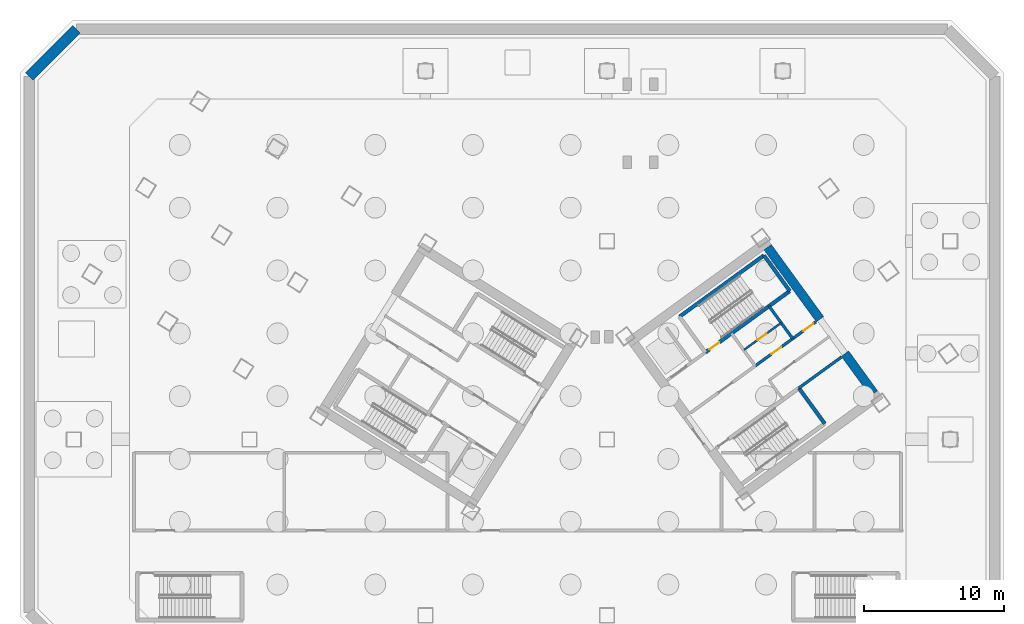
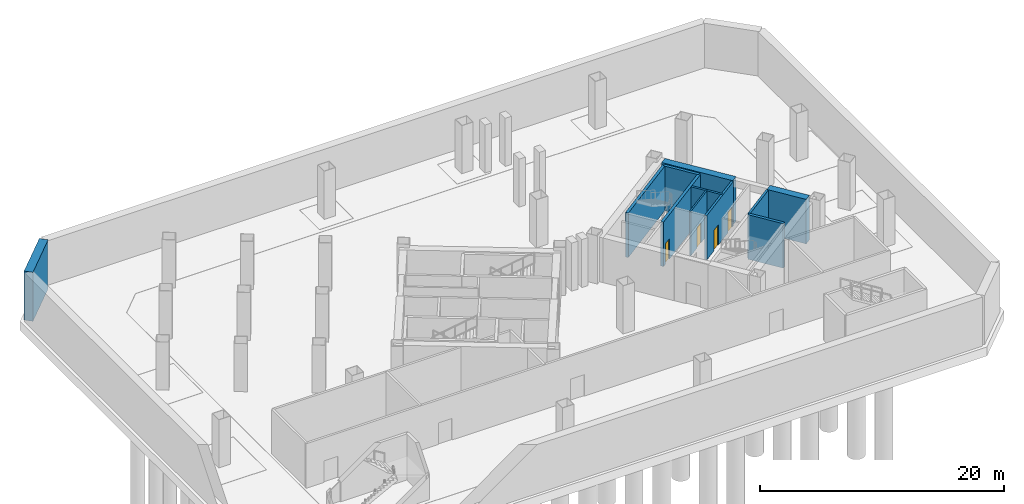
# One storey, part 6 of 11: 11 walls, 4 doors, 4 openings.
"""IFC4 building model written with IfcOpenShell, lengths in metres."""

from ifc_helpers import new_model, si_unit, direction, frame, frame_2d, origin, place, context, subcontext, project, spatial, rectangle, extrude, source, transform, mapped, material, layer, layer_set, type_object, element, fill, save


model = new_model("IFC4")

# Units and contexts
model_context = context("Model", 3, precision=1e-05, world=origin(), true_north=direction((0.0, 1.0)))
body_context = subcontext(model_context, "Body", "Model", "MODEL_VIEW")
ifc_project = project(units=[si_unit("LENGTHUNIT", "METRE"), si_unit("AREAUNIT", "SQUARE_METRE"), si_unit("VOLUMEUNIT", "CUBIC_METRE"), si_unit("PLANEANGLEUNIT", "RADIAN"), si_unit("MASSUNIT", "GRAM", prefix="KILO")], contexts=[model_context])

# Site, building, storey
site_placement = place(None, origin())
site = spatial("IfcSite", under=ifc_project, at=site_placement, CompositionType="ELEMENT")
building_placement = place(site_placement, origin())
building = spatial("IfcBuilding", under=site, at=building_placement, Name="Tlacorven Tower", CompositionType="ELEMENT")
storey_placement = place(building_placement, frame((0.0, 0.0, -9.60009765625)))
storey = spatial("IfcBuildingStorey", under=building, at=storey_placement, Name="B2", CompositionType="ELEMENT", Elevation=-9.60009765625)

# Walls
ifc_material_1 = material(Name="Concrete C60/75", Category="concrete")
ifc_layer_1 = layer(ifc_material_1, 0.64990234375)
ifc_layer_set_1 = layer_set([ifc_layer_1], Name="Concrete C60/75")
wall_type_1 = type_object("IfcWallType", Name="WL-COR-650", PredefinedType="SHEAR", material=ifc_layer_set_1)
wall_1_placement = place(storey_placement, frame((61.9287109375, 20.494384765625, 0.0), z_axis=(0.0, 0.0, 1.0), x_axis=(-0.58782982593, 0.808984607855, 0.0)))
element("IfcWall", 1, at=wall_1_placement, inside=storey, type_object=wall_type_1, Name="B2 E core end wall E2.1", PredefinedType="SHEAR", context=body_context, shape_type="SweptSolid", body=[
    extrude(rectangle(XDim=3.52490234375, YDim=0.64990234375, at=frame_2d((1.762451171875, 0.0))), origin(), (0.0, 0.0, 1.0), 4.4501953125),
])
wall_2_placement = place(storey_placement, frame((58.06396484375, 25.8134765625, 0.0), z_axis=(0.0, 0.0, 1.0), x_axis=(-0.58777996584, 0.809020835181, 0.0)))
element("IfcWall", 2, at=wall_2_placement, inside=storey, type_object=wall_type_1, Name="B2 E core end wall E2.2", PredefinedType="SHEAR", context=body_context, shape_type="SweptSolid", body=[
    extrude(rectangle(XDim=6.375, YDim=0.64990234375, at=frame_2d((3.1875, 0.0))), origin(), (0.0, 0.0, 1.0), 4.4501953125),
])

# Wall, opening, door
ifc_material_2 = material(Name="Moisture-resistant gypsum plumbing wall", Category="gypsum")
ifc_layer_2 = layer(ifc_material_2, 0.139892578125)
ifc_layer_set_2 = layer_set([ifc_layer_2], Name="Moisture-resistant gypsum plumbing wall")
wall_type_2 = type_object("IfcWallType", Name="WL-PLM-140", PredefinedType="PLUMBINGWALL", material=ifc_layer_set_2)
wall_3_placement = place(storey_placement, frame((52.617919921875, 23.612060546875, 0.0), z_axis=(0.0, 0.0, 1.0), x_axis=(0.809009587469, 0.587795446889, 0.0)))
wall_3 = element("IfcWall", 3, at=wall_3_placement, inside=storey, type_object=wall_type_2, Name="B2 partition 37", PredefinedType="PLUMBINGWALL", context=body_context, shape_type="SweptSolid", body=[
    extrude(rectangle(XDim=3.280029296875, YDim=0.139892578125, at=frame_2d((1.64013671875, 0.0))), origin(), (0.0, 0.0, 1.0), 4.440185546875),
])
opening_1_placement = place(wall_3_placement, frame((1.199951171875, 0.0, 0.0)))
opening_1 = element("IfcOpeningElement", 4, at=opening_1_placement, cuts=wall_3, Name="Opening D22", PredefinedType="OPENING", context=body_context, shape_type="SweptSolid", body=[
    extrude(rectangle(XDim=0.780029296875, YDim=2.050048828125, at=frame_2d((0.39013671875, 1.02490234375))), frame((0.0, 0.080078125, 0.0), z_axis=(0.0, -1.0, 0.0), x_axis=(1.0, 0.0, 0.0)), (0.0, 0.0, 1.0), 0.159912109375),
])
ifc_material_3 = material(Name="Powder-coated aluminium and timber door", Category="wood")
door_type_1 = type_object("IfcDoorType", Name="DR-INT-WET-0780", OperationType="NOTDEFINED", PredefinedType="DOOR", material=ifc_material_3)
shared_shape_1 = source(origin(), body_context, "Body", "SweptSolid", [
    extrude(rectangle(XDim=0.780029296875, YDim=2.050048828125, at=frame_2d((0.39013671875, 1.02490234375))), frame((0.0, 0.02490234375, 0.0), z_axis=(0.0, -1.0, 0.0), x_axis=(1.0, 0.0, 0.0)), (0.0, 0.0, 1.0), 0.050048828125),
])
door_1_placement = place(opening_1_placement, origin())
door_1 = element("IfcDoor", 5, at=door_1_placement, inside=storey, type_object=door_type_1, Name="B2 door 016", OperationType="SINGLE_SWING_RIGHT", OverallHeight=2.050048828125, OverallWidth=0.780029296875, PredefinedType="DOOR", context=body_context, shape_type="MappedRepresentation", body=[
    mapped(shared_shape_1, transform((0.0, 0.0, 0.0), scale=1.0)),
])
fill(opening_1, door_1)

# Walls
ifc_material_4 = material(Name="Concrete C50/60", Category="concrete")
ifc_layer_3 = layer(ifc_material_4, 0.75)
ifc_layer_set_3 = layer_set([ifc_layer_3], Name="Concrete C50/60")
wall_type_3 = type_object("IfcWallType", Name="WL-RET-750", PredefinedType="USERDEFINED", material=ifc_layer_set_3)
wall_4_placement = place(storey_placement, frame((4.800048828125, 46.60009765625, -0.449951171875), z_axis=(0.0, 0.0, 1.0), x_axis=(-0.707106781187, -0.707106781187, 0.0)))
element("IfcWall", 6, at=wall_4_placement, inside=storey, type_object=wall_type_3, Name="B2 Diaphragm Retaining Wall 6", ObjectType="RETAINING WALL", PredefinedType="USERDEFINED", context=body_context, shape_type="SweptSolid", body=[
    extrude(rectangle(XDim=4.80859375, YDim=0.75, at=frame_2d((2.404296875, 0.0))), origin(), (0.0, 0.0, 1.0), 4.900146484375),
])
ifc_material_5 = material(Name="Concrete C40/50", Category="concrete")
ifc_layer_4 = layer(ifc_material_5, 0.199951171875)
ifc_layer_set_4 = layer_set([ifc_layer_4], Name="Concrete C40/50")
wall_type_4 = type_object("IfcWallType", Name="WL-SHF-200", PredefinedType="STANDARD", material=ifc_layer_set_4)
wall_5_placement = place(storey_placement, frame((56.552978515625, 20.884033203125, 0.0), z_axis=(0.0, 0.0, 1.0), x_axis=(0.809035789462, 0.587759382205, 0.0)))
element("IfcWall", 7, at=wall_5_placement, inside=storey, type_object=wall_type_4, Name="B2 Core E South Lift Shaft Wall", PredefinedType="STANDARD", context=body_context, shape_type="SweptSolid", body=[
    extrude(rectangle(XDim=3.767822265625, YDim=0.199951171875, at=frame_2d((1.8837890625, 0.0))), origin(), (0.0, 0.0, 1.0), 4.440185546875),
])
wall_6_placement = place(storey_placement, frame((56.110595703125, 24.4189453125, 0.0), z_axis=(0.0, 0.0, 1.0), x_axis=(-0.58777848983, 0.809021907548, 0.0)))
element("IfcWall", 8, at=wall_6_placement, inside=storey, type_object=wall_type_4, Name="B2 partition 33", PredefinedType="STANDARD", context=body_context, shape_type="SweptSolid", body=[
    extrude(rectangle(XDim=2.880126953125, YDim=0.199951171875, at=frame_2d((1.43994140625, 0.0))), origin(), (0.0, 0.0, 1.0), 4.440185546875),
])

# Wall, openings, doors
wall_7_placement = place(storey_placement, frame((53.424560546875, 22.467529296875, 0.0), z_axis=(0.0, 0.0, 1.0), x_axis=(0.80902705128, 0.587771409902, 0.0)))
wall_7 = element("IfcWall", 9, at=wall_7_placement, inside=storey, type_object=wall_type_4, Name="B2 Core E North Service Wall", PredefinedType="STANDARD", context=body_context, shape_type="SweptSolid", body=[
    extrude(rectangle(XDim=5.3681640625, YDim=0.199951171875, at=frame_2d((2.68408203125, 0.0))), origin(), (0.0, 0.0, 1.0), 4.440185546875),
])
opening_2_placement = place(wall_7_placement, frame((4.280029296875, 0.0, 0.0)))
opening_2 = element("IfcOpeningElement", 10, at=opening_2_placement, cuts=wall_7, Name="Opening D19", PredefinedType="OPENING", context=body_context, shape_type="SweptSolid", body=[
    extrude(rectangle(XDim=0.860107421875, YDim=2.050048828125, at=frame_2d((0.43017578125, 1.02490234375))), frame((0.0, 0.10986328125, 0.0), z_axis=(0.0, -1.0, 0.0), x_axis=(1.0, 0.0, 0.0)), (0.0, 0.0, 1.0), 0.219970703125),
])
opening_3_placement = place(wall_7_placement, frame((1.449951171875, 0.0, 0.0)))
opening_3 = element("IfcOpeningElement", 11, at=opening_3_placement, cuts=wall_7, Name="Opening D19", PredefinedType="OPENING", context=body_context, shape_type="SweptSolid", body=[
    extrude(rectangle(XDim=0.860107421875, YDim=2.050048828125, at=frame_2d((0.43017578125, 1.02490234375))), frame((0.0, 0.10986328125, 0.0), z_axis=(0.0, -1.0, 0.0), x_axis=(1.0, 0.0, 0.0)), (0.0, 0.0, 1.0), 0.219970703125),
])
ifc_material_6 = material(Name="Fire-rated steel door assembly", Category="steel")
door_type_2 = type_object("IfcDoorType", Name="DR-RSR-FD60-0860", OperationType="NOTDEFINED", PredefinedType="DOOR", material=ifc_material_6)
shared_shape_2 = source(origin(), body_context, "Body", "SweptSolid", [
    extrude(rectangle(XDim=0.860107421875, YDim=2.050048828125, at=frame_2d((0.43017578125, 1.02490234375))), frame((0.0, 0.02490234375, 0.0), z_axis=(0.0, -1.0, 0.0), x_axis=(1.0, 0.0, 0.0)), (0.0, 0.0, 1.0), 0.050048828125),
])
door_2_placement = place(opening_2_placement, frame((0.860107421875, 0.0, 0.0), z_axis=(0.0, 0.0, 1.0), x_axis=(-1.0, 0.0, 0.0)))
door_2 = element("IfcDoor", 12, at=door_2_placement, inside=storey, type_object=door_type_2, Name="B2 Electrical Riser Access Door E", OperationType="SINGLE_SWING_RIGHT", OverallHeight=2.050048828125, OverallWidth=0.860107421875, PredefinedType="DOOR", context=body_context, shape_type="MappedRepresentation", body=[
    mapped(shared_shape_2, transform((0.0, 0.0, 0.0), scale=1.0)),
])
fill(opening_2, door_2)
door_3_placement = place(opening_3_placement, frame((0.860107421875, 0.0, 0.0), z_axis=(0.0, 0.0, 1.0), x_axis=(-1.0, 0.0, 0.0)))
door_3 = element("IfcDoor", 13, at=door_3_placement, inside=storey, type_object=door_type_2, Name="B2 Cleaner Store Access Door E", OperationType="SINGLE_SWING_LEFT", OverallHeight=2.050048828125, OverallWidth=0.860107421875, PredefinedType="DOOR", context=body_context, shape_type="MappedRepresentation", body=[
    mapped(shared_shape_2, transform((0.0, 0.0, 0.0), scale=1.0)),
])
fill(opening_3, door_3)

# Wall
ifc_layer_5 = layer(ifc_material_4, 0.260009765625)
ifc_layer_set_5 = layer_set([ifc_layer_5], Name="Concrete C50/60")
wall_type_5 = type_object("IfcWallType", Name="WL-STW-260", PredefinedType="SHEAR", material=ifc_layer_set_5)
wall_8_placement = place(storey_placement, frame((48.005615234375, 25.996337890625, 0.0), z_axis=(0.0, 0.0, 1.0), x_axis=(0.80901903764, 0.587782439969, 0.0)))
element("IfcWall", 14, at=wall_8_placement, inside=storey, type_object=wall_type_5, Name="B2 Stair E1 Far Shear Wall", PredefinedType="SHEAR", context=body_context, shape_type="SweptSolid", body=[
    extrude(rectangle(XDim=7.4599609375, YDim=0.260009765625, at=frame_2d((3.72998046875, 0.0))), origin(), (0.0, 0.0, 1.0), 4.4501953125),
])

# Wall, opening, door
wall_9_placement = place(storey_placement, frame((49.863037109375, 23.439697265625, 0.0), z_axis=(0.0, 0.0, 1.0), x_axis=(0.809003474932, 0.587803859759, 0.0)))
wall_9 = element("IfcWall", 15, at=wall_9_placement, inside=storey, type_object=wall_type_5, Name="B2 Stair E1 Lobby Shear Wall", PredefinedType="SHEAR", context=body_context, shape_type="SweptSolid", body=[
    extrude(rectangle(XDim=7.4599609375, YDim=0.260009765625, at=frame_2d((3.72998046875, 0.0))), origin(), (0.0, 0.0, 1.0), 4.4501953125),
])
opening_4_placement = place(wall_9_placement, frame((0.360107421875, 0.0, 0.0)))
opening_4 = element("IfcOpeningElement", 16, at=opening_4_placement, cuts=wall_9, Name="Opening D19", PredefinedType="OPENING", context=body_context, shape_type="SweptSolid", body=[
    extrude(rectangle(XDim=0.860107421875, YDim=2.050048828125, at=frame_2d((0.43017578125, 1.02490234375))), frame((0.0, 0.14013671875, 0.0), z_axis=(0.0, -1.0, 0.0), x_axis=(1.0, 0.0, 0.0)), (0.0, 0.0, 1.0), 0.280029296875),
])
door_4_placement = place(opening_4_placement, frame((0.860107421875, 0.0, 0.0), z_axis=(0.0, 0.0, 1.0), x_axis=(-1.0, 0.0, 0.0)))
door_4 = element("IfcDoor", 17, at=door_4_placement, inside=storey, type_object=door_type_2, Name="B2 Exit Stair E1 Fire Door", OperationType="SINGLE_SWING_LEFT", OverallHeight=2.050048828125, OverallWidth=0.860107421875, PredefinedType="DOOR", context=body_context, shape_type="MappedRepresentation", body=[
    mapped(shared_shape_2, transform((0.0, 0.0, 0.0), scale=1.0)),
])
fill(opening_4, door_4)

# Walls
wall_10_placement = place(storey_placement, frame((55.906494140625, 27.83056640625, 0.0), z_axis=(0.0, 0.0, 1.0), x_axis=(-0.587804123638, 0.809003283204, 0.0)))
element("IfcWall", 18, at=wall_10_placement, inside=storey, type_object=wall_type_5, Name="B2 Stair E1 East Shear Wall", PredefinedType="SHEAR", context=body_context, shape_type="SweptSolid", body=[
    extrude(rectangle(XDim=3.159912109375, YDim=0.260009765625, at=frame_2d((1.580078125, 0.0))), origin(), (0.0, 0.0, 1.0), 4.4501953125),
])
wall_11_placement = place(storey_placement, frame((58.410400390625, 18.327392578125, 0.0), z_axis=(0.0, 0.0, 1.0), x_axis=(-0.58776738483, 0.809029975545, 0.0)))
element("IfcWall", 19, at=wall_11_placement, inside=storey, type_object=wall_type_5, Name="B2 Stair E2 East Shear Wall", PredefinedType="SHEAR", context=body_context, shape_type="SweptSolid", body=[
    extrude(rectangle(XDim=3.16015625, YDim=0.260009765625, at=frame_2d((1.580078125, 0.0))), origin(), (0.0, 0.0, 1.0), 4.4501953125),
])

save(model, "model.ifc")
